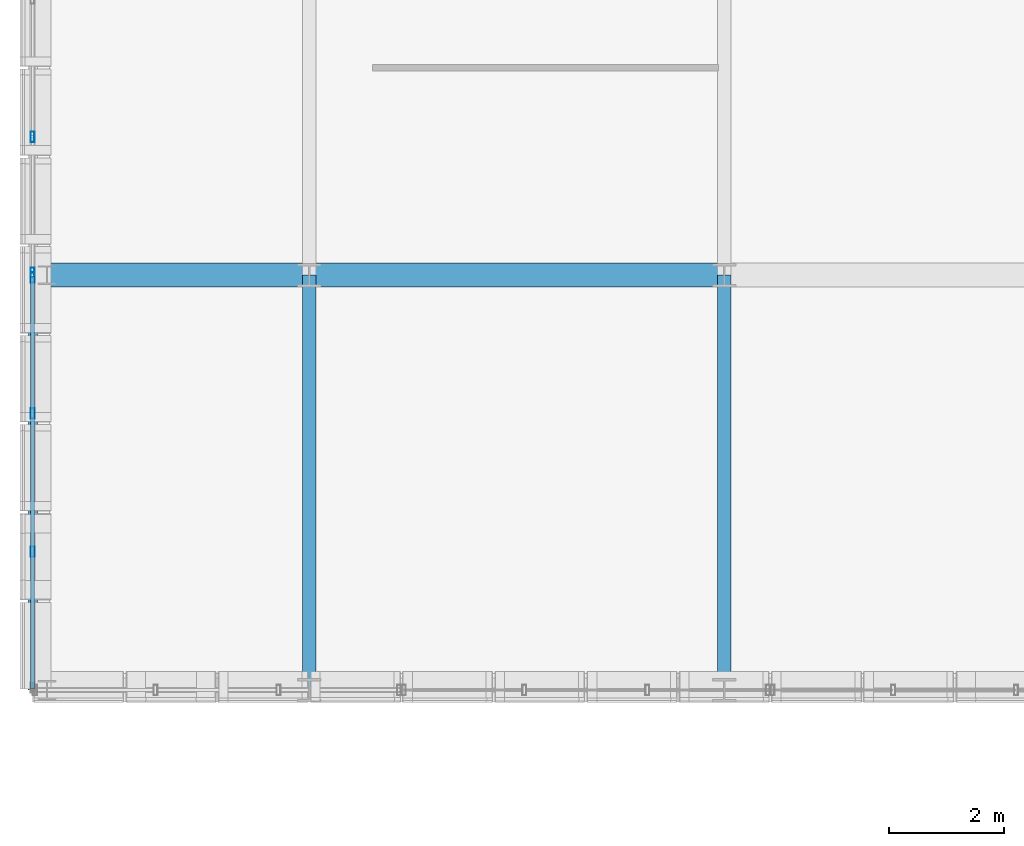
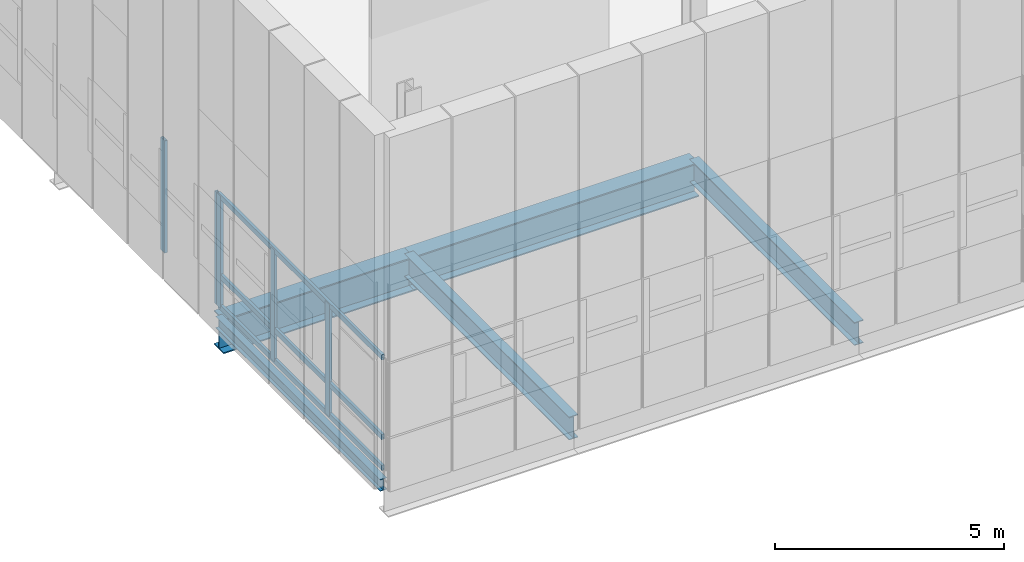
# One storey, part 12 of 144: 8 members, 5 beams, 2 elements without a shape of their own.
"""IFC4 building model written with IfcOpenShell, lengths in metres."""

from ifc_helpers import new_model, si_unit, direction, frame, origin, origin_2d, place, context, subcontext, project, spatial, hollow_rectangle, i_section, extrude, material, material_profile, profile_set, type_object, element, aggregate, save


model = new_model("IFC4")

# Units and contexts
model_context = context("Model", 3, precision=1e-05, world=origin(), true_north=direction((0.0, 1.0)))
body_context = subcontext(model_context, "Body", "Model", "MODEL_VIEW")
ifc_project = project(units=[si_unit("LENGTHUNIT", "METRE"), si_unit("AREAUNIT", "SQUARE_METRE"), si_unit("VOLUMEUNIT", "CUBIC_METRE"), si_unit("PLANEANGLEUNIT", "RADIAN"), si_unit("MASSUNIT", "GRAM", prefix="KILO")], contexts=[model_context])

# Site, building, storey
site_placement = place(None, origin())
site = spatial("IfcSite", under=ifc_project, at=site_placement, CompositionType="ELEMENT")
building_placement = place(site_placement, origin())
building = spatial("IfcBuilding", under=site, at=building_placement, Name="Yarey Park Central Fire Station", CompositionType="ELEMENT")
storey_placement = place(building_placement, frame((0.0, 0.0, 10.199951171875)))
storey = spatial("IfcBuildingStorey", under=building, at=storey_placement, Name="L03", CompositionType="ELEMENT", Elevation=10.199951171875)

# Curtain wall, members
ifc_material_1 = material(Name="Anodized Aluminium Frame", Category="aluminium")
curtain_wall_type = type_object("IfcCurtainWallType", Name="ENV_CW_V3_OVR1", PredefinedType="NOTDEFINED", material=ifc_material_1)
curtain_wall_1_placement = place(storey_placement, origin())
curtain_wall_1 = element("IfcCurtainWall", 1, at=curtain_wall_1_placement, inside=storey, type_object=curtain_wall_type, Name="CW_L03_DRUM_W_050", PredefinedType="NOTDEFINED")
ifc_material_profile_1 = material_profile(ifc_material_1, hollow_rectangle(XDim=0.070068359375, YDim=0.179931640625, WallThickness=0.00390625, at=origin_2d()), Name="ALU 180x70x4")
ifc_profile_set_1 = profile_set([ifc_material_profile_1], Name="Anodized Aluminium Frame")
member_type_1 = type_object("IfcMemberType", Name="ENV_CW_MULLION", PredefinedType="MULLION", material=ifc_profile_set_1)
member_1_placement = place(storey_placement, frame((9.60009765625, 28.760009765625, 0.0), z_axis=(0.0, 0.0, 1.0), x_axis=(1.0, 0.0, 0.0)))
member_1 = element("IfcMember", 2, at=member_1_placement, type_object=member_type_1, Name="CW_L03_DRUM_W_050_MUL1", PredefinedType="MULLION", context=body_context, shape_type="SweptSolid", body=[
    extrude(hollow_rectangle(XDim=0.070068359375, YDim=0.179931640625, WallThickness=0.00390625, at=origin_2d()), origin(), (0.0, 0.0, 1.0), 3.0),
])
member_2_placement = place(storey_placement, frame((9.60009765625, 26.39990234375, 0.0), z_axis=(0.0, 0.0, 1.0), x_axis=(1.0, 0.0, 0.0)))
member_2 = element("IfcMember", 3, at=member_2_placement, type_object=member_type_1, Name="CW_L03_DRUM_W_050_MUL2", PredefinedType="MULLION", context=body_context, shape_type="SweptSolid", body=[
    extrude(hollow_rectangle(XDim=0.070068359375, YDim=0.179931640625, WallThickness=0.00390625, at=origin_2d()), origin(), (0.0, 0.0, 1.0), 3.0),
])
member_3_placement = place(storey_placement, frame((9.60009765625, 24.0, 0.0), z_axis=(0.0, 0.0, 1.0), x_axis=(1.0, 0.0, 0.0)))
member_3 = element("IfcMember", 4, at=member_3_placement, type_object=member_type_1, Name="CW_L03_DRUM_W_050_MUL3", PredefinedType="MULLION", context=body_context, shape_type="SweptSolid", body=[
    extrude(hollow_rectangle(XDim=0.070068359375, YDim=0.179931640625, WallThickness=0.00390625, at=origin_2d()), origin(), (0.0, 0.0, 1.0), 3.0),
])

curtain_wall_2_placement = place(storey_placement, origin())
curtain_wall_2 = element("IfcCurtainWall", 5, at=curtain_wall_2_placement, inside=storey, type_object=curtain_wall_type, Name="CW_L03_DRUM_W_051", PredefinedType="NOTDEFINED")
member_4_placement = place(storey_placement, frame((9.60009765625, 31.199951171875, 0.0), z_axis=(0.0, 0.0, 1.0), x_axis=(1.0, 0.0, 0.0)))
member_4 = element("IfcMember", 6, at=member_4_placement, type_object=member_type_1, Name="CW_L03_DRUM_W_051_MUL3", PredefinedType="MULLION", context=body_context, shape_type="SweptSolid", body=[
    extrude(hollow_rectangle(XDim=0.070068359375, YDim=0.179931640625, WallThickness=0.00390625, at=origin_2d()), origin(), (0.0, 0.0, 1.0), 3.0),
])
member_5_placement = place(storey_placement, frame((9.60009765625, 28.840087890625, 0.0), z_axis=(0.0, 0.0, 1.0), x_axis=(1.0, 0.0, 0.0)))
member_5 = element("IfcMember", 7, at=member_5_placement, type_object=member_type_1, Name="CW_L03_DRUM_W_051_MUL4", PredefinedType="MULLION", context=body_context, shape_type="SweptSolid", body=[
    extrude(hollow_rectangle(XDim=0.070068359375, YDim=0.179931640625, WallThickness=0.00390625, at=origin_2d()), origin(), (0.0, 0.0, 1.0), 3.0),
])
aggregate(curtain_wall_2, [member_4, member_5])

# Member
ifc_material_profile_2 = material_profile(ifc_material_1, hollow_rectangle(XDim=0.070068359375, YDim=0.139892578125, WallThickness=0.00390625, at=origin_2d()), Name="ALU 140x70x4")
ifc_profile_set_2 = profile_set([ifc_material_profile_2], Name="Anodized Aluminium Frame")
member_type_2 = type_object("IfcMemberType", Name="ENV_CW_TRANSOM", PredefinedType="USERDEFINED", material=ifc_profile_set_2)
member_6_placement = place(storey_placement, frame((9.60009765625, 28.784912109375, 0.025146484375), z_axis=(0.0, -1.0, 0.0), x_axis=(1.0, 0.0, 0.0)))
member_6 = element("IfcMember", 8, at=member_6_placement, type_object=member_type_2, Name="CW_L03_DRUM_W_050_TRN1", ObjectType="TRANSOM", PredefinedType="USERDEFINED", context=body_context, shape_type="SweptSolid", body=[
    extrude(hollow_rectangle(XDim=0.070068359375, YDim=0.139892578125, WallThickness=0.00390625, at=origin_2d()), origin(), (0.0, 0.0, 1.0), 7.169921875),
])

member_7_placement = place(storey_placement, frame((9.60009765625, 28.784912109375, 0.85009765625), z_axis=(0.0, -1.0, 0.0), x_axis=(1.0, 0.0, 0.0)))
member_7 = element("IfcMember", 9, at=member_7_placement, type_object=member_type_2, Name="CW_L03_DRUM_W_050_TRN2", ObjectType="TRANSOM", PredefinedType="USERDEFINED", context=body_context, shape_type="SweptSolid", body=[
    extrude(hollow_rectangle(XDim=0.070068359375, YDim=0.139892578125, WallThickness=0.00390625, at=origin_2d()), origin(), (0.0, 0.0, 1.0), 7.169921875),
])

member_8_placement = place(storey_placement, frame((9.60009765625, 28.784912109375, 2.97509765625), z_axis=(0.0, -1.0, 0.0), x_axis=(1.0, 0.0, 0.0)))
member_8 = element("IfcMember", 10, at=member_8_placement, type_object=member_type_2, Name="CW_L03_DRUM_W_050_TRN3", ObjectType="TRANSOM", PredefinedType="USERDEFINED", context=body_context, shape_type="SweptSolid", body=[
    extrude(hollow_rectangle(XDim=0.070068359375, YDim=0.139892578125, WallThickness=0.00390625, at=origin_2d()), origin(), (0.0, 0.0, 1.0), 7.169921875),
])

aggregate(curtain_wall_1, [member_1, member_2, member_3, member_6, member_7, member_8])

# Beams
ifc_material_2 = material(Name="Steel ASTM A992 Gr. 50", Category="steel")
ifc_material_profile_3 = material_profile(ifc_material_2, i_section(OverallWidth=0.22900390625, OverallDepth=0.612060546875, WebThickness=0.011962890625, FlangeThickness=0.01953125, at=origin_2d()), Name="W610x125")
ifc_profile_set_3 = profile_set([ifc_material_profile_3], Name="Steel ASTM A992 Gr. 50")
beam_type_1 = type_object("IfcBeamType", Name="STR_BM_W610", PredefinedType="BEAM", material=ifc_profile_set_3)
for number, where, z_axis, x_axis, name in (
    (11, (14.39990234375, 21.60009765625, -0.56591796875), (0.0, 1.0, 0.0), (-1.0, 0.0, 0.0), "DRUM BMY14 L03 Y216"),
    (12, (21.60009765625, 21.60009765625, -0.56591796875), (0.0, 1.0, 0.0), (-1.0, 0.0, 0.0), "DRUM BMY21 L03 Y216"),
):
    element("IfcBeam", number, at=place(storey_placement, frame(where, z_axis=z_axis, x_axis=x_axis)), inside=storey, type_object=beam_type_1, Name=name, PredefinedType="BEAM", context=body_context, shape_type="SweptSolid", body=[
        extrude(i_section(OverallWidth=0.22900390625, OverallDepth=0.612060546875, WebThickness=0.011962890625, FlangeThickness=0.01953125, at=origin_2d()), origin(), (0.0, 0.0, 1.0), 7.199951171875),
    ])
ifc_material_profile_4 = material_profile(ifc_material_2, i_section(OverallWidth=0.41796875, OverallDepth=0.912109375, WebThickness=0.019287109375, FlangeThickness=0.031982421875, at=origin_2d()), Name="W920x342")
ifc_profile_set_4 = profile_set([ifc_material_profile_4], Name="Steel ASTM A992 Gr. 50")
beam_type_2 = type_object("IfcBeamType", Name="STR_BM_W920", PredefinedType="BEAM", material=ifc_profile_set_4)
beam_1_placement = place(storey_placement, frame((14.39990234375, 28.800048828125, -0.716064453125), z_axis=(1.0, 0.0, 0.0), x_axis=(0.0, 1.0, 0.0)))
element("IfcBeam", 13, at=beam_1_placement, inside=storey, type_object=beam_type_2, Name="DRUM GIRD1 L03 Y288", PredefinedType="BEAM", context=body_context, shape_type="SweptSolid", body=[
    extrude(i_section(OverallWidth=0.41796875, OverallDepth=0.912109375, WebThickness=0.019287109375, FlangeThickness=0.031982421875, at=origin_2d()), origin(), (0.0, 0.0, 1.0), 7.2001953125),
])
ifc_material_profile_5 = material_profile(ifc_material_2, i_section(OverallWidth=0.41796875, OverallDepth=0.912109375, WebThickness=0.019287109375, FlangeThickness=0.031982421875, at=origin_2d()), Name="W920x342")
ifc_profile_set_5 = profile_set([ifc_material_profile_5], Name="Steel ASTM A992 Gr. 50")
beam_type_3 = type_object("IfcBeamType", Name="STR_BM_W920E", PredefinedType="BEAM", material=ifc_profile_set_5)
beam_2_placement = place(storey_placement, frame((9.60009765625, 28.800048828125, -0.716064453125), z_axis=(1.0, 0.0, 0.0), x_axis=(0.0, 1.0, 0.0)))
element("IfcBeam", 14, at=beam_2_placement, inside=storey, type_object=beam_type_3, Name="DRUM CANT L03 Y288", PredefinedType="BEAM", context=body_context, shape_type="SweptSolid", body=[
    extrude(i_section(OverallWidth=0.41796875, OverallDepth=0.912109375, WebThickness=0.019287109375, FlangeThickness=0.031982421875, at=origin_2d()), origin(), (0.0, 0.0, 1.0), 4.7998046875),
])
ifc_material_profile_6 = material_profile(ifc_material_2, i_section(OverallWidth=0.1650390625, OverallDepth=0.31005859375, WebThickness=0.005859375, FlangeThickness=0.009765625, at=origin_2d()), Name="W310x39")
ifc_profile_set_6 = profile_set([ifc_material_profile_6], Name="Steel ASTM A992 Gr. 50")
beam_type_4 = type_object("IfcBeamType", Name="STR_SPN_W310", PredefinedType="SPANDREL", material=ifc_profile_set_6)
beam_3_placement = place(storey_placement, frame((9.60009765625, 21.60009765625, -0.4150390625), z_axis=(0.0, 1.0, 0.0), x_axis=(-1.0, 0.0, 0.0)))
element("IfcBeam", 15, at=beam_3_placement, inside=storey, type_object=beam_type_4, Name="DRUM EDG L03 Y216", PredefinedType="SPANDREL", context=body_context, shape_type="SweptSolid", body=[
    extrude(i_section(OverallWidth=0.1650390625, OverallDepth=0.31005859375, WebThickness=0.005859375, FlangeThickness=0.009765625, at=origin_2d()), origin(), (0.0, 0.0, 1.0), 7.199951171875),
])

save(model, "model.ifc")
